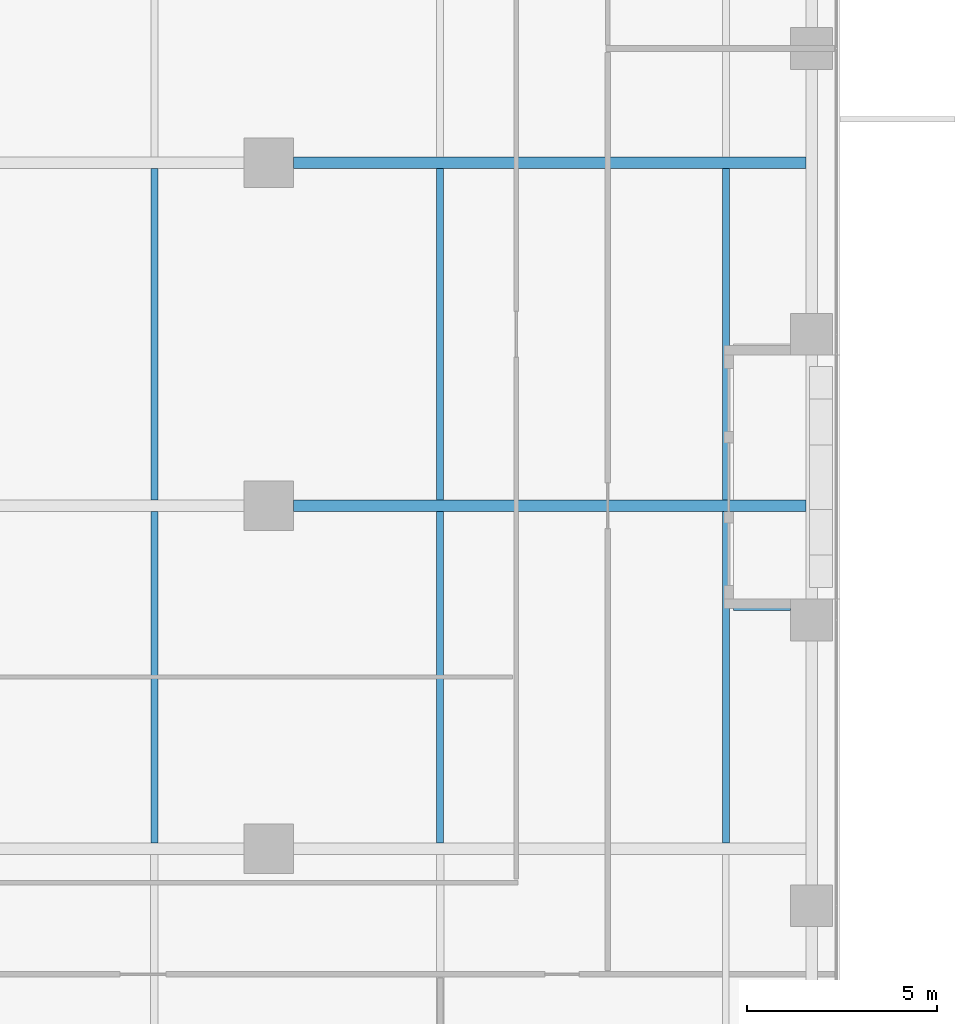
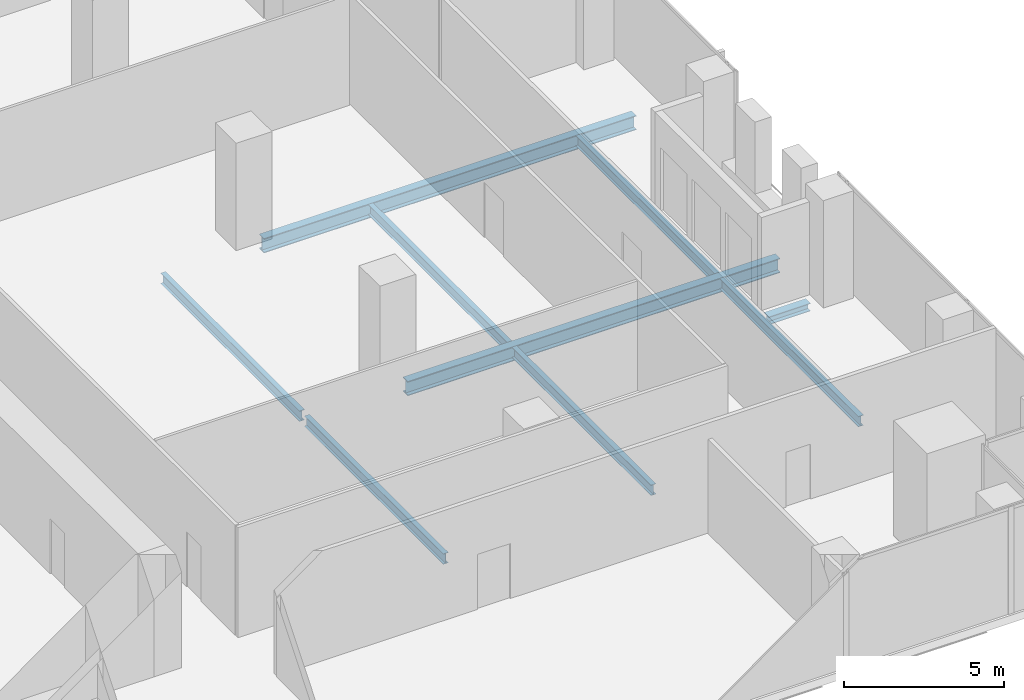
# One storey, part 12 of 34: 9 beams.
"""IFC4 building model written with IfcOpenShell, lengths in metres."""

from ifc_helpers import new_model, si_unit, direction, frame, origin, origin_2d, place, context, subcontext, project, spatial, i_section, extrude, source, transform, mapped, material, material_profile, profile_set, type_object, element, save


model = new_model("IFC4")

# Units and contexts
model_context = context("Model", 3, precision=1e-05, world=origin(), true_north=direction((0.0, 1.0)))
body_context = subcontext(model_context, "Body", "Model", "MODEL_VIEW")
ifc_project = project(units=[si_unit("LENGTHUNIT", "METRE"), si_unit("AREAUNIT", "SQUARE_METRE"), si_unit("VOLUMEUNIT", "CUBIC_METRE"), si_unit("PLANEANGLEUNIT", "RADIAN"), si_unit("MASSUNIT", "GRAM", prefix="KILO")], contexts=[model_context])

# Site, building, storey
site_placement = place(None, origin())
site = spatial("IfcSite", under=ifc_project, at=site_placement, CompositionType="ELEMENT")
building_placement = place(site_placement, origin())
building = spatial("IfcBuilding", under=site, at=building_placement, Name="Khomas Fold Tower", CompositionType="ELEMENT")
storey_placement = place(building_placement, frame((0.0, 0.0, 145.5)))
storey = spatial("IfcBuildingStorey", under=building, at=storey_placement, Name="L31", CompositionType="ELEMENT", Elevation=145.5)

# Beams
ifc_material_1 = material(Name="Steel S355", Category="steel")
ifc_material_profile_1 = material_profile(ifc_material_1, i_section(OverallWidth=0.179931640625, OverallDepth=0.39990234375, WebThickness=0.008544921875, FlangeThickness=0.013427734375, at=origin_2d()), Name="IPE 400")
ifc_profile_set_1 = profile_set([ifc_material_profile_1], Name="Steel S355")
beam_type_1 = type_object("IfcBeamType", Name="IPE 400 beam JB3", PredefinedType="BEAM", material=ifc_profile_set_1)
shared_shape_1 = source(origin(), body_context, "Body", "SweptSolid", [
    extrude(i_section(OverallWidth=0.179931640625, OverallDepth=0.39990234375, WebThickness=0.008544921875, FlangeThickness=0.013427734375, at=origin_2d()), origin(), (0.0, 0.0, 1.0), 8.7001953125),
])
for number, where, z_axis, x_axis, name in (
    (1, (34.5, 13.64990234375, -0.5), (0.0, 1.0, 0.0), (-1.0, 0.0, 0.0), "JB3"),
    (2, (34.5, 22.64990234375, -0.5), (0.0, 1.0, 0.0), (-1.0, 0.0, 0.0), "JB3"),
    (3, (42.0, 13.64990234375, -0.5), (0.0, 1.0, 0.0), (-1.0, 0.0, 0.0), "JB3"),
    (4, (42.0, 22.64990234375, -0.5), (0.0, 1.0, 0.0), (-1.0, 0.0, 0.0), "JB3"),
    (5, (49.5, 13.64990234375, -0.5), (0.0, 1.0, 0.0), (-1.0, 0.0, 0.0), "JB3"),
    (6, (49.5, 22.64990234375, -0.5), (0.0, 1.0, 0.0), (-1.0, 0.0, 0.0), "JB3"),
):
    element("IfcBeam", number, at=place(storey_placement, frame(where, z_axis=z_axis, x_axis=x_axis)), inside=storey, type_object=beam_type_1, Name=name, PredefinedType="BEAM", context=body_context, shape_type="MappedRepresentation", body=[
        mapped(shared_shape_1, transform((0.0, 0.0, 0.0))),
    ])
ifc_material_2 = material(Name="Steel S355", Category="steel")
ifc_material_profile_2 = material_profile(ifc_material_2, i_section(OverallWidth=0.300048828125, OverallDepth=0.550048828125, WebThickness=0.014892578125, FlangeThickness=0.029052734375, at=origin_2d()), Name="HE 550 B")
ifc_profile_set_2 = profile_set([ifc_material_profile_2], Name="Steel S355")
beam_type_2 = type_object("IfcBeamType", Name="HE 550 B beam GB4", PredefinedType="BEAM", material=ifc_profile_set_2)
shared_shape_2 = source(origin(), body_context, "Body", "SweptSolid", [
    extrude(i_section(OverallWidth=0.300048828125, OverallDepth=0.550048828125, WebThickness=0.014892578125, FlangeThickness=0.029052734375, at=origin_2d()), origin(), (0.0, 0.0, 1.0), 13.4501953125),
])
for number, where, z_axis, x_axis, name in (
    (7, (38.14990234375, 22.5, -0.574951171875), (1.0, 0.0, 0.0), (0.0, 1.0, 0.0), "GB4"),
    (8, (38.14990234375, 31.5, -0.574951171875), (1.0, 0.0, 0.0), (0.0, 1.0, 0.0), "GB4"),
):
    element("IfcBeam", number, at=place(storey_placement, frame(where, z_axis=z_axis, x_axis=x_axis)), inside=storey, type_object=beam_type_2, Name=name, PredefinedType="BEAM", context=body_context, shape_type="MappedRepresentation", body=[
        mapped(shared_shape_2, transform((0.0, 0.0, 0.0))),
    ])
ifc_material_3 = material(Name="Steel S355", Category="steel")
ifc_material_profile_3 = material_profile(ifc_material_3, i_section(OverallWidth=0.300048828125, OverallDepth=0.300048828125, WebThickness=0.010986328125, FlangeThickness=0.01904296875, at=origin_2d()), Name="HE 300 B")
ifc_profile_set_3 = profile_set([ifc_material_profile_3], Name="Steel S355")
beam_type_3 = type_object("IfcBeamType", Name="HE 300 B beam BB1", PredefinedType="BEAM", material=ifc_profile_set_3)
shared_shape_3 = source(origin(), body_context, "Body", "SweptSolid", [
    extrude(i_section(OverallWidth=0.300048828125, OverallDepth=0.300048828125, WebThickness=0.010986328125, FlangeThickness=0.01904296875, at=origin_2d()), origin(), (0.0, 0.0, 1.0), 1.5),
])
beam_placement = place(storey_placement, frame((49.699951171875, 19.89990234375, -0.449951171875), z_axis=(1.0, 0.0, 0.0), x_axis=(0.0, 1.0, 0.0)))
element("IfcBeam", 9, at=beam_placement, inside=storey, type_object=beam_type_3, Name="BB1", PredefinedType="BEAM", context=body_context, shape_type="MappedRepresentation", body=[
    mapped(shared_shape_3, transform((0.0, 0.0, 0.0))),
])

save(model, "model.ifc")
